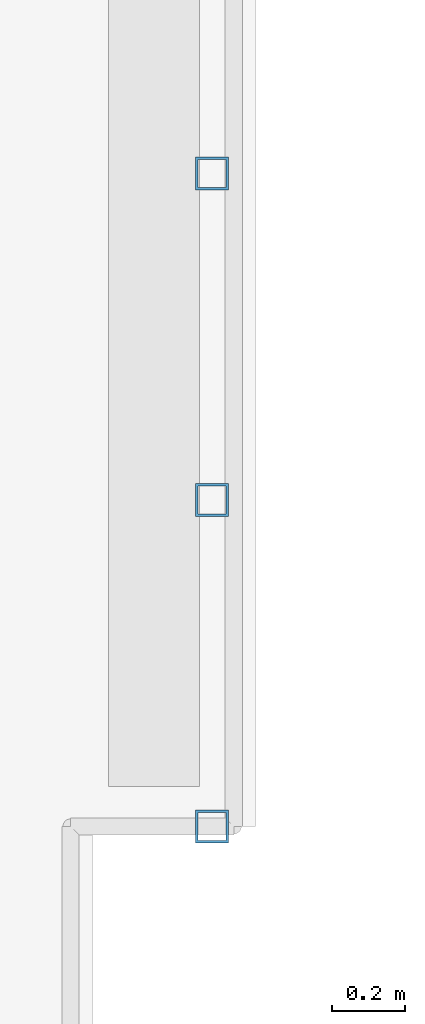
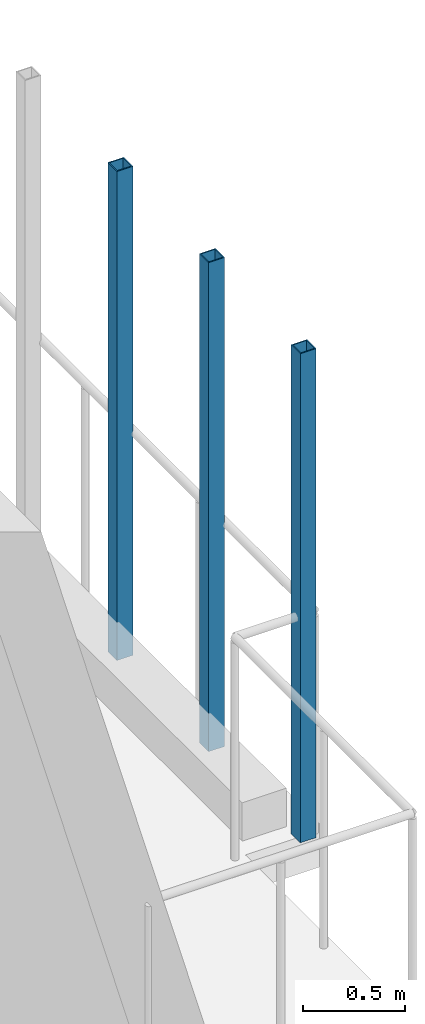
# One storey, part 10 of 56: 3 members.
"""IFC4 building model written with IfcOpenShell, lengths in metres."""

from ifc_helpers import new_model, si_unit, derived_unit, direction, frame, origin, origin_2d, place, context, subcontext, project, spatial, hollow_rectangle, extrude, material, material_profile, profile_set, type_object, element, save


model = new_model("IFC4")

# Units and contexts
model_context = context("Model", 3, precision=1e-05, world=origin(), true_north=direction((0.0, 1.0)))
body_context = subcontext(model_context, "Body", "Model", "MODEL_VIEW")
ifc_project = project(units=[si_unit("LENGTHUNIT", "METRE"), si_unit("AREAUNIT", "SQUARE_METRE"), si_unit("VOLUMEUNIT", "CUBIC_METRE"), si_unit("PLANEANGLEUNIT", "RADIAN"), si_unit("MASSUNIT", "GRAM", prefix="KILO"), derived_unit("THERMALTRANSMITTANCEUNIT", [(si_unit("MASSUNIT", "GRAM", prefix="KILO"), 1), (si_unit("TIMEUNIT", "SECOND"), -3), (si_unit("THERMODYNAMICTEMPERATUREUNIT", "KELVIN"), -1)])], contexts=[model_context])

# Site, building, storey
site_placement = place(None, origin())
site = spatial("IfcSite", under=ifc_project, at=site_placement, CompositionType="ELEMENT")
building_placement = place(site_placement, origin())
building = spatial("IfcBuilding", under=site, at=building_placement, Name="Ochrekiln Boulevard Commons", CompositionType="ELEMENT")
storey_placement = place(building_placement, frame((0.0, 0.0, 12.074951171875)))
storey = spatial("IfcBuildingStorey", under=building, at=storey_placement, Name="L03", CompositionType="ELEMENT", Elevation=12.074951171875)

# Members
ifc_material = material(Name="Steel A500 Grade C", Category="steel")
ifc_material_profile = material_profile(ifc_material, hollow_rectangle(XDim=0.090087890625, YDim=0.090087890625, WallThickness=0.00634765625, at=origin_2d()), Name="HSS90X90X6.4")
ifc_profile_set = profile_set([ifc_material_profile], Name="Steel A500 Grade C")
member_type = type_object("IfcMemberType", Name="MEM-PST-HSS90", PredefinedType="POST", material=ifc_profile_set)
for number, where, z_axis, x_axis, name in (
    (1, (23.47998046875, 78.300048828125, 0.0), (0.0, 0.0, 1.0), (1.0, 0.0, 0.0), "Block A L03 Slim Vertical Balcony Post (67)"),
    (2, (23.47998046875, 79.199951171875, 0.0), (0.0, 0.0, 1.0), (1.0, 0.0, 0.0), "Block A L03 Slim Vertical Balcony Post (68)"),
    (3, (23.47998046875, 80.10009765625, 0.0), (0.0, 0.0, 1.0), (1.0, 0.0, 0.0), "Block A L03 Slim Vertical Balcony Post (69)"),
):
    element("IfcMember", number, at=place(storey_placement, frame(where, z_axis=z_axis, x_axis=x_axis)), inside=storey, type_object=member_type, Name=name, PredefinedType="POST", context=body_context, shape_type="SweptSolid", body=[
        extrude(hollow_rectangle(XDim=0.090087890625, YDim=0.090087890625, WallThickness=0.00634765625, at=origin_2d()), origin(), (0.0, 0.0, 1.0), 2.929931640625),
    ])

save(model, "model.ifc")
